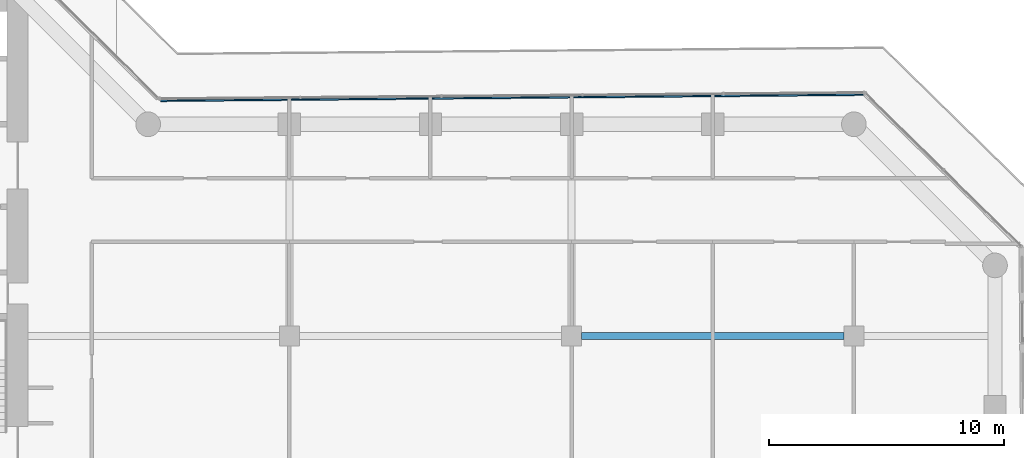
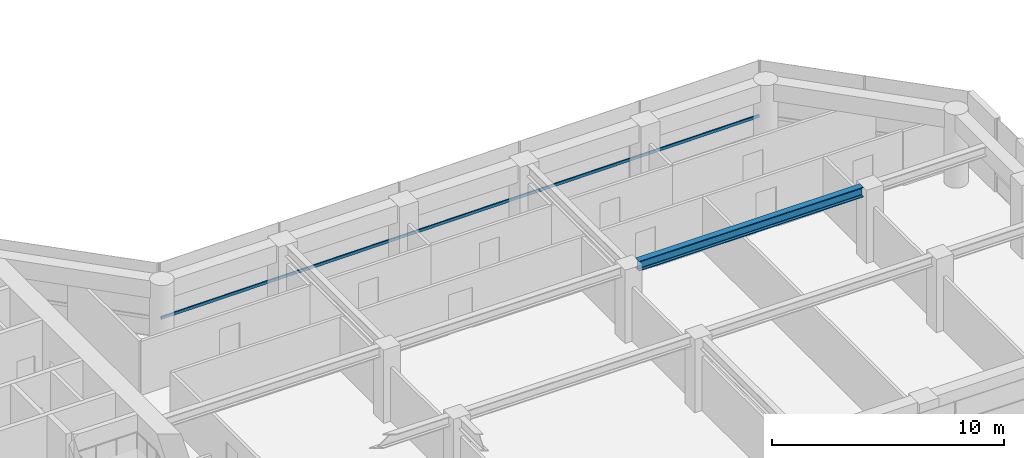
# One storey, part 10 of 28: 1 beam, 1 member, 1 element without a shape of its own.
"""IFC4 building model written with IfcOpenShell, lengths in metres."""

from ifc_helpers import new_model, si_unit, direction, frame, origin, origin_2d, place, context, subcontext, project, spatial, rectangle, i_section, extrude, material, layer, layer_set, material_profile, profile_set, type_object, element, aggregate, save


model = new_model("IFC4")

# Units and contexts
model_context = context("Model", 3, precision=1e-05, world=origin(), true_north=direction((0.0, 1.0)))
body_context = subcontext(model_context, "Body", "Model", "MODEL_VIEW")
ifc_project = project(units=[si_unit("LENGTHUNIT", "METRE"), si_unit("AREAUNIT", "SQUARE_METRE"), si_unit("VOLUMEUNIT", "CUBIC_METRE"), si_unit("PLANEANGLEUNIT", "RADIAN"), si_unit("MASSUNIT", "GRAM", prefix="KILO")], contexts=[model_context])

# Site, building, storey
site_placement = place(None, origin())
site = spatial("IfcSite", under=ifc_project, at=site_placement, CompositionType="ELEMENT")
building_placement = place(site_placement, origin())
building = spatial("IfcBuilding", under=site, at=building_placement, Name="Welwitschia Terrace Campus", CompositionType="ELEMENT")
storey_placement = place(building_placement, frame((0.0, 0.0, 54.199951171875)))
storey = spatial("IfcBuildingStorey", under=building, at=storey_placement, Name="L12", CompositionType="ELEMENT", Elevation=54.199951171875)

# Beam
ifc_material_1 = material(Name="Steel S355", Category="steel")
ifc_material_profile_1 = material_profile(ifc_material_1, i_section(OverallWidth=0.305908203125, OverallDepth=0.52392578125, WebThickness=0.02099609375, FlangeThickness=0.0400390625, FilletRadius=0.027099609375, at=origin_2d()))
ifc_profile_set_1 = profile_set([ifc_material_profile_1], Name="Steel S355")
beam_type = type_object("IfcBeamType", Name="Interior girder HE 500 M", PredefinedType="BEAM", material=ifc_profile_set_1)
beam_placement = place(storey_placement, frame((48.425537109375, 11.0, 3.588134765625), z_axis=(1.0, 0.0, 0.0), x_axis=(0.0, 1.0, 0.0)))
element("IfcBeam", 1, at=beam_placement, inside=storey, type_object=beam_type, Name="Girder GB2", PredefinedType="BEAM", context=body_context, shape_type="SweptSolid", body=[
    extrude(i_section(OverallWidth=0.305908203125, OverallDepth=0.52392578125, WebThickness=0.02099609375, FlangeThickness=0.0400390625, FilletRadius=0.027099609375, at=origin_2d()), origin(), (0.0, 0.0, 1.0), 11.14892578125),
])

# Curtain wall, member
ifc_material_2 = material(Name="Bronze anodised aluminium", Category="aluminium")
ifc_layer = layer(ifc_material_2, 0.1201171875)
ifc_layer_set = layer_set([ifc_layer], Name="Bronze anodised aluminium")
curtain_wall_type = type_object("IfcCurtainWallType", Name="Curtain wall CW2 tower 6000", PredefinedType="NOTDEFINED", material=ifc_layer_set)
curtain_wall_placement = place(storey_placement, origin())
curtain_wall = element("IfcCurtainWall", 2, at=curtain_wall_placement, inside=storey, type_object=curtain_wall_type, Name="CW L12.8.0", PredefinedType="NOTDEFINED")
ifc_material_3 = material(Name="Bronze anodised aluminium", Category="aluminium")
ifc_material_profile_2 = material_profile(ifc_material_3, rectangle(XDim=0.06005859375, YDim=0.14990234375, at=origin_2d()))
ifc_profile_set_2 = profile_set([ifc_material_profile_2], Name="Bronze anodised aluminium")
member_type = type_object("IfcMemberType", Name="Transom 60x150", PredefinedType="USERDEFINED", material=ifc_profile_set_2)
member_placement = place(storey_placement, frame((60.406005859375, 21.257080078125, 1.0), z_axis=(-0.999961925131, -0.008726298667, 0.0), x_axis=(0.008726298667, -0.999961925131, 0.0)))
member = element("IfcMember", 3, at=member_placement, type_object=member_type, Name="Transom L12.8.0", ObjectType="TRANSOM", PredefinedType="USERDEFINED", context=body_context, shape_type="SweptSolid", body=[
    extrude(rectangle(XDim=0.06005859375, YDim=0.14990234375, at=origin_2d()), origin(), (0.0, 0.0, 1.0), 29.880126953125),
])
aggregate(curtain_wall, [member])

save(model, "model.ifc")
